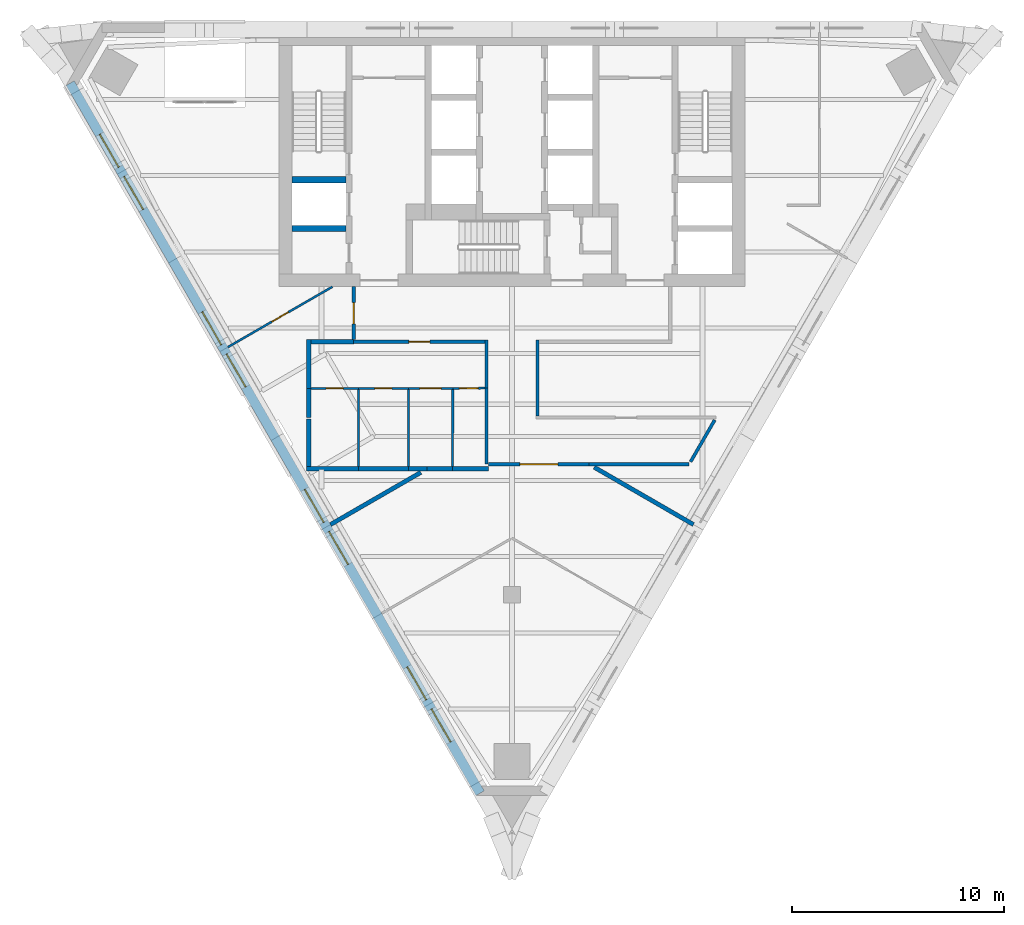
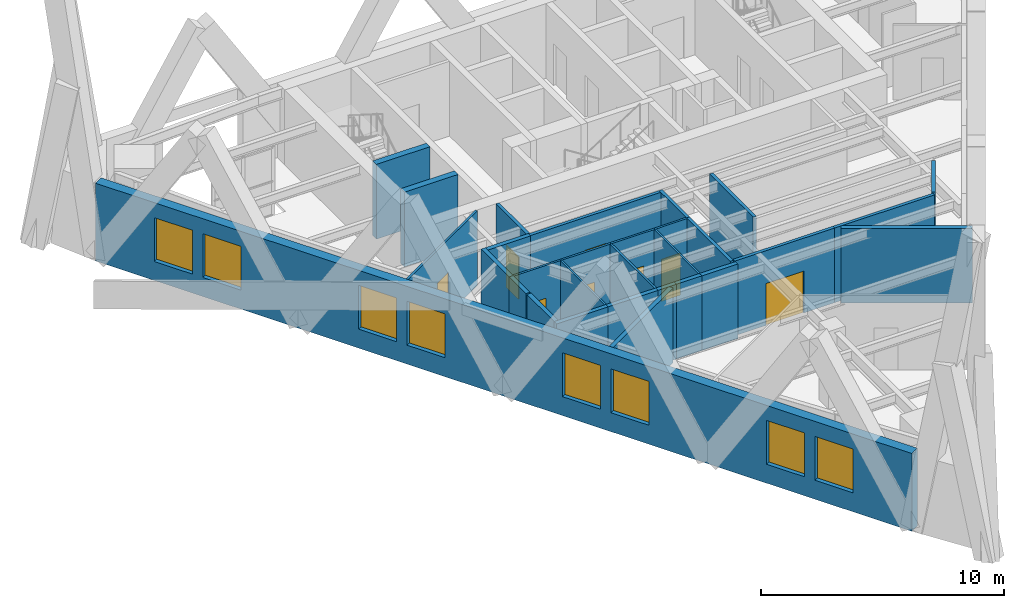
# One storey, part 4 of 9: 30 walls, 8 doors, 8 windows, 16 openings.
"""IFC4 building model written with IfcOpenShell, lengths in metres."""

import ifcopenshell
import ifcopenshell.guid

model = None  # the IFC model being written
_history = None  # IfcOwnerHistory: only IFC2X3 demands one
_inside = {}  # id of a spatial element -> (the spatial element, [elements in it])
_under = {}  # id of a project, library or spatial element -> (it, [spatial elements below it])
_declared = {}  # id of a project -> (the project, [libraries it declares])
_typed = {}  # id of a type object -> (the type object, [elements of that type])
_made_of = {}  # id of a material, layer set ... -> (it, [elements and type objects made of it])


def new_model(schema):
    """Start an empty IFC model of exactly this schema.

    Asked for "IFC4X3", IfcOpenShell would pick the latest addendum, in which some entities
    have other attributes; the version numbers below select the first issue.
    IFC2X3 requires an IfcOwnerHistory on every rooted entity: one is made here for all.
    """
    global model, _history
    if schema == "IFC4X3":
        model = ifcopenshell.file(schema_version=(4, 3, 0, 0))
    else:
        model = ifcopenshell.file(schema=schema)
    _inside.clear()
    _under.clear()
    _declared.clear()
    _typed.clear()
    _made_of.clear()
    _history = None
    if model.schema == "IFC2X3":
        org = make("IfcOrganization", Name="unknown")
        user = make(
            "IfcPersonAndOrganization",
            ThePerson=make("IfcPerson", FamilyName="unknown"),
            TheOrganization=org,
        )
        app = make(
            "IfcApplication",
            ApplicationDeveloper=org,
            Version="unknown",
            ApplicationFullName="unknown",
            ApplicationIdentifier="unknown",
        )
        _history = make(
            "IfcOwnerHistory",
            OwningUser=user,
            OwningApplication=app,
            ChangeAction="ADDED",
            CreationDate=0,
        )
    return model


def make(cls, **values):
    """One entity of the class cls with the attributes given. An attribute that is None is left unset."""
    return model.create_entity(
        cls, **{name: value for name, value in values.items() if value is not None}
    )


def rooted(cls, **values):
    """An entity with a GlobalId (a new one), such as an element, a storey or a relation."""
    return make(cls, GlobalId=ifcopenshell.guid.new(), OwnerHistory=_history, **values)


def si_unit(unit_type, name, prefix=None):
    """IfcSIUnit, for example si_unit("LENGTHUNIT", "METRE", prefix="MILLI")."""
    return make("IfcSIUnit", UnitType=unit_type, Prefix=prefix, Name=name)


def assignment(units):
    """IfcUnitAssignment: the units of a project."""
    return None if units is None else make("IfcUnitAssignment", Units=units)


def point(xyz):
    """IfcCartesianPoint."""
    return None if xyz is None else make("IfcCartesianPoint", Coordinates=xyz)


def direction(xyz):
    """IfcDirection."""
    return None if xyz is None else make("IfcDirection", DirectionRatios=xyz)


def frame(location, z_axis=None, x_axis=None):
    """IfcAxis2Placement3D, a coordinate frame: its origin and axes. An axis left out is left unset."""
    return make(
        "IfcAxis2Placement3D",
        Location=point(location),
        Axis=direction(z_axis),
        RefDirection=direction(x_axis),
    )


def frame_2d(location, x_axis=None):
    """IfcAxis2Placement2D, a coordinate frame in the plane: its origin and x axis."""
    return make(
        "IfcAxis2Placement2D", Location=point(location), RefDirection=direction(x_axis)
    )


def origin():
    """The frame at (0, 0, 0) with its axes left unset."""
    return frame((0.0, 0.0, 0.0))


def place(relative_to, where):
    """IfcLocalPlacement: puts the frame where relative to a parent placement (None: the world)."""
    return make(
        "IfcLocalPlacement", PlacementRelTo=relative_to, RelativePlacement=where
    )


def context(
    kind, dimensions, precision=None, world=None, true_north=None, identifier=None
):
    """IfcGeometricRepresentationContext, for example the 3D "Model" context."""
    return make(
        "IfcGeometricRepresentationContext",
        ContextIdentifier=identifier,
        ContextType=kind,
        CoordinateSpaceDimension=dimensions,
        Precision=precision,
        WorldCoordinateSystem=world,
        TrueNorth=true_north,
    )


def subcontext(parent, identifier, kind, view, scale=None):
    """IfcGeometricRepresentationSubContext, for example "Body" below "Model"."""
    return make(
        "IfcGeometricRepresentationSubContext",
        ContextIdentifier=identifier,
        ContextType=kind,
        ParentContext=parent,
        TargetScale=scale,
        TargetView=view,
    )


def project(units=None, contexts=None):
    """IfcProject with its units and contexts."""
    return rooted(
        "IfcProject",
        Name="project",
        RepresentationContexts=contexts,
        UnitsInContext=assignment(units),
    )


def spatial(cls, under=None, at=None, **own):
    """A site, building, storey or space (cls), placed at a placement, below another one or the project."""
    s = rooted(cls, ObjectPlacement=at, **own)
    if under is not None:
        _under.setdefault(under.id(), (under, []))[1].append(s)
    return s


def polyline(points):
    """IfcPolyline through the points."""
    return make("IfcPolyline", Points=[point(p) for p in points])


def profile(cls, at=None, kind="AREA", **sizes):
    """A parametric profile (cls). Its sizes go by their IFC names, for example OverallWidth=200.0."""
    return make(cls, ProfileType=kind, Position=at, **sizes)


def rectangle(**sizes):
    """IfcRectangleProfileDef."""
    return profile("IfcRectangleProfileDef", **sizes)


def outline(outer, holes=None, kind="AREA"):
    """IfcArbitraryClosedProfileDef: a profile drawn as a closed curve; with holes, ...WithVoids."""
    if holes is None:
        return make("IfcArbitraryClosedProfileDef", ProfileType=kind, OuterCurve=outer)
    return make(
        "IfcArbitraryProfileDefWithVoids",
        ProfileType=kind,
        OuterCurve=outer,
        InnerCurves=holes,
    )


def extrude(swept, where, along, depth):
    """IfcExtrudedAreaSolid: the profile swept, set in the frame where, extruded along a direction by depth."""
    return make(
        "IfcExtrudedAreaSolid",
        SweptArea=swept,
        Position=where,
        ExtrudedDirection=direction(along),
        Depth=depth,
    )


def shape(context_of_items, identifier, shape_type, items):
    """IfcShapeRepresentation: the items that make up one representation, for example the "Body"."""
    return make(
        "IfcShapeRepresentation",
        ContextOfItems=context_of_items,
        RepresentationIdentifier=identifier,
        RepresentationType=shape_type,
        Items=items,
    )


def material(Name=None, Category=None):
    """IfcMaterial."""
    return make("IfcMaterial", Name=Name, Category=Category)


def layer(
    of_material, thickness, ventilated=None, Name=None, Category=None, Priority=None
):
    """IfcMaterialLayer: one layer of a wall or slab, of a material (None: an air gap)."""
    return make(
        "IfcMaterialLayer",
        Material=of_material,
        LayerThickness=thickness,
        IsVentilated=ventilated,
        Name=Name,
        Category=Category,
        Priority=Priority,
    )


def layer_set(layers, Name=None):
    """IfcMaterialLayerSet."""
    return make("IfcMaterialLayerSet", MaterialLayers=layers, LayerSetName=Name)


def made_of(thing, what):
    """Note that an element or type object is made of a material, layer set ...; save() writes the relation."""
    if what is not None:
        _made_of.setdefault(what.id(), (what, []))[1].append(thing)
    return thing


def type_object(cls, material=None, **own):
    """A type object (cls), such as IfcWallType, which elements share."""
    return made_of(rooted(cls, **own), material)


def element(
    cls,
    number,
    at=None,
    inside=None,
    cuts=None,
    type_object=None,
    material=None,
    context=None,
    identifier="Body",
    shape_type=None,
    held_by="IfcProductDefinitionShape",
    body=None,
    shapes=None,
    **own,
):
    """One element of the class cls, such as IfcWall. Its Tag is "e" and its number.

    at: its placement. inside: the storey or other place that contains it. cuts: it is an
    opening in that element (IfcRelVoidsElement). A single representation is given by context,
    identifier, shape_type and body (its items); several are given by shapes. held_by: the class
    of the entity that holds the representations. save() writes the other relations.
    """
    e = rooted(cls, Tag="e%d" % number, ObjectPlacement=at, **own)
    if body is not None:
        shapes = [shape(context, identifier, shape_type, body)]
    if shapes is not None:
        e.Representation = make(held_by, Representations=shapes)
    if inside is not None:
        _inside.setdefault(inside.id(), (inside, []))[1].append(e)
    if cuts is not None:
        rooted(
            "IfcRelVoidsElement", RelatingBuildingElement=cuts, RelatedOpeningElement=e
        )
    if type_object is not None:
        _typed.setdefault(type_object.id(), (type_object, []))[1].append(e)
    return made_of(e, material)


def fill(opening, filler):
    """IfcRelFillsElement: the door or window that sits in an opening."""
    return rooted(
        "IfcRelFillsElement",
        RelatingOpeningElement=opening,
        RelatedBuildingElement=filler,
    )


def aggregate(whole, parts):
    """IfcRelAggregates: a whole, such as a stair, and the parts it consists of."""
    return rooted("IfcRelAggregates", RelatingObject=whole, RelatedObjects=parts)


def save(model, path):
    """Write the relations noted so far, then the file.

    IfcRelAggregates (storeys below a building ...), IfcRelContainedInSpatialStructure (elements
    in a storey), IfcRelDefinesByType, IfcRelAssociatesMaterial and IfcRelDeclares: one each for
    every whole, place, type object, material and project.
    """
    for whole, parts in _under.values():
        aggregate(whole, parts)
    for where, things in _inside.values():
        rooted(
            "IfcRelContainedInSpatialStructure",
            RelatedElements=things,
            RelatingStructure=where,
        )
    for kind, things in _typed.values():
        rooted("IfcRelDefinesByType", RelatedObjects=things, RelatingType=kind)
    for what, things in _made_of.values():
        rooted("IfcRelAssociatesMaterial", RelatedObjects=things, RelatingMaterial=what)
    for by, libraries in _declared.values():
        rooted("IfcRelDeclares", RelatingContext=by, RelatedDefinitions=libraries)
    model.write(path)


model = new_model("IFC4")

# Units and contexts
model_context = context("Model", 3, precision=1e-05, world=origin(), true_north=direction((0.0, 1.0)))
body_context = subcontext(model_context, "Body", "Model", "MODEL_VIEW")
ifc_project = project(units=[si_unit("LENGTHUNIT", "METRE"), si_unit("AREAUNIT", "SQUARE_METRE"), si_unit("VOLUMEUNIT", "CUBIC_METRE"), si_unit("PLANEANGLEUNIT", "RADIAN"), si_unit("MASSUNIT", "GRAM", prefix="KILO")], contexts=[model_context])

# Site, building, storey
site_placement = place(None, origin())
site = spatial("IfcSite", under=ifc_project, at=site_placement, CompositionType="ELEMENT")
building_placement = place(site_placement, origin())
building = spatial("IfcBuilding", under=site, at=building_placement, Name="Aloe Facet Convention Tower", CompositionType="ELEMENT")
storey_placement = place(building_placement, frame((0.0, 0.0, 195.800048828125)))
storey = spatial("IfcBuildingStorey", under=building, at=storey_placement, Name="L49", CompositionType="ELEMENT", Elevation=195.800048828125)

# Walls
ifc_material_1 = material(Name="Concrete C50/60", Category="concrete")
ifc_layer_1 = layer(ifc_material_1, 0.300048828125)
ifc_layer_set_1 = layer_set([ifc_layer_1], Name="CR-W-RC300-C5060")
wall_type_1 = type_object("IfcWallType", Name="CR-W-RC300-C5060", PredefinedType="SOLIDWALL", material=ifc_layer_set_1)
for number, where, z_axis, x_axis, name in (
    (1, (69.60009765625, 127.60009765625, 0.0), (0.0, 0.0, 1.0), (1.0, 0.0, 0.0), "Core wall L49-004"),
    (2, (69.60009765625, 125.300048828125, 0.0), (0.0, 0.0, 1.0), (1.0, 0.0, 0.0), "Core wall L49-005"),
):
    element("IfcWall", number, at=place(storey_placement, frame(where, z_axis=z_axis, x_axis=x_axis)), inside=storey, type_object=wall_type_1, Name=name, PredefinedType="SOLIDWALL", context=body_context, shape_type="SweptSolid", body=[
        extrude(rectangle(XDim=2.5498046875, YDim=0.300048828125, at=frame_2d((1.27490234375, 0.0))), origin(), (0.0, 0.0, 1.0), 3.75),
    ])

# Wall, openings, windows
ifc_material_2 = material(Name="Precast concrete C40/50", Category="concrete")
ifc_layer_2 = layer(ifc_material_2, 0.449951171875)
ifc_layer_set_2 = layer_set([ifc_layer_2], Name="EV-WALL-STONE")
wall_type_2 = type_object("IfcWallType", Name="EV-WALL-STONE", PredefinedType="SOLIDWALL", material=ifc_layer_set_2)
wall_1_placement = place(storey_placement, frame((59.130126953125, 132.16796875, -0.150146484375), z_axis=(0.0, 0.0, 1.0), x_axis=(0.500002199942, -0.866024133644, 0.0)))
wall_1 = element("IfcWall", 3, at=wall_1_placement, inside=storey, type_object=wall_type_2, Name="EW-L49-W01", PredefinedType="SOLIDWALL", context=body_context, shape_type="SweptSolid", body=[
    extrude(outline(polyline([(38.729248046875, 0.0), (38.729248046875, 3.900146484375), (0.0, 3.900146484375), (0.0, 0.0), (38.729248046875, 0.0)])), frame((0.0, 0.22509765625, 0.0), z_axis=(0.0, -1.0, 0.0), x_axis=(1.0, 0.0, 0.0)), (0.0, 0.0, 1.0), 0.449951171875),
])
opening_1_placement = place(wall_1_placement, frame((2.791259765625, 0.0, 0.949951171875)))
opening_1 = element("IfcOpeningElement", 4, at=opening_1_placement, cuts=wall_1, Name="Opening W-L49-W01", PredefinedType="OPENING", context=body_context, shape_type="SweptSolid", body=[
    extrude(rectangle(XDim=1.800048828125, YDim=2.199951171875, at=frame_2d((0.89990234375, 1.10009765625))), frame((0.0, 0.23486328125, 0.0), z_axis=(0.0, -1.0, 0.0), x_axis=(1.0, 0.0, 0.0)), (0.0, 0.0, 1.0), 0.469970703125),
])
opening_2_placement = place(wall_1_placement, frame((5.091064453125, 0.0, 0.949951171875)))
opening_2 = element("IfcOpeningElement", 5, at=opening_2_placement, cuts=wall_1, Name="Opening W-L49-W02", PredefinedType="OPENING", context=body_context, shape_type="SweptSolid", body=[
    extrude(rectangle(XDim=1.800048828125, YDim=2.199951171875, at=frame_2d((0.89990234375, 1.10009765625))), frame((0.0, 0.23486328125, 0.0), z_axis=(0.0, -1.0, 0.0), x_axis=(1.0, 0.0, 0.0)), (0.0, 0.0, 1.0), 0.469970703125),
])
opening_3_placement = place(wall_1_placement, frame((12.473388671875, 0.0, 0.949951171875)))
opening_3 = element("IfcOpeningElement", 6, at=opening_3_placement, cuts=wall_1, Name="Opening W-L49-W03", PredefinedType="OPENING", context=body_context, shape_type="SweptSolid", body=[
    extrude(rectangle(XDim=1.800048828125, YDim=2.199951171875, at=frame_2d((0.89990234375, 1.10009765625))), frame((0.0, 0.23486328125, 0.0), z_axis=(0.0, -1.0, 0.0), x_axis=(1.0, 0.0, 0.0)), (0.0, 0.0, 1.0), 0.469970703125),
])
opening_4_placement = place(wall_1_placement, frame((14.7734375, 0.0, 0.949951171875)))
opening_4 = element("IfcOpeningElement", 7, at=opening_4_placement, cuts=wall_1, Name="Opening W-L49-W04", PredefinedType="OPENING", context=body_context, shape_type="SweptSolid", body=[
    extrude(rectangle(XDim=1.800048828125, YDim=2.199951171875, at=frame_2d((0.89990234375, 1.10009765625))), frame((0.0, 0.23486328125, 0.0), z_axis=(0.0, -1.0, 0.0), x_axis=(1.0, 0.0, 0.0)), (0.0, 0.0, 1.0), 0.469970703125),
])
opening_5_placement = place(wall_1_placement, frame((22.15576171875, 0.0, 0.949951171875)))
opening_5 = element("IfcOpeningElement", 8, at=opening_5_placement, cuts=wall_1, Name="Opening W-L49-W05", PredefinedType="OPENING", context=body_context, shape_type="SweptSolid", body=[
    extrude(rectangle(XDim=1.800048828125, YDim=2.199951171875, at=frame_2d((0.89990234375, 1.10009765625))), frame((0.0, 0.23486328125, 0.0), z_axis=(0.0, -1.0, 0.0), x_axis=(1.0, 0.0, 0.0)), (0.0, 0.0, 1.0), 0.469970703125),
])
opening_6_placement = place(wall_1_placement, frame((24.455810546875, 0.0, 0.949951171875)))
opening_6 = element("IfcOpeningElement", 9, at=opening_6_placement, cuts=wall_1, Name="Opening W-L49-W06", PredefinedType="OPENING", context=body_context, shape_type="SweptSolid", body=[
    extrude(rectangle(XDim=1.800048828125, YDim=2.199951171875, at=frame_2d((0.89990234375, 1.10009765625))), frame((0.0, 0.23486328125, 0.0), z_axis=(0.0, -1.0, 0.0), x_axis=(1.0, 0.0, 0.0)), (0.0, 0.0, 1.0), 0.469970703125),
])
opening_7_placement = place(wall_1_placement, frame((31.838134765625, 0.0, 0.949951171875)))
opening_7 = element("IfcOpeningElement", 10, at=opening_7_placement, cuts=wall_1, Name="Opening W-L49-W07", PredefinedType="OPENING", context=body_context, shape_type="SweptSolid", body=[
    extrude(rectangle(XDim=1.800048828125, YDim=2.199951171875, at=frame_2d((0.89990234375, 1.10009765625))), frame((0.0, 0.23486328125, 0.0), z_axis=(0.0, -1.0, 0.0), x_axis=(1.0, 0.0, 0.0)), (0.0, 0.0, 1.0), 0.469970703125),
])
opening_8_placement = place(wall_1_placement, frame((34.13818359375, 0.0, 0.949951171875)))
opening_8 = element("IfcOpeningElement", 11, at=opening_8_placement, cuts=wall_1, Name="Opening W-L49-W08", PredefinedType="OPENING", context=body_context, shape_type="SweptSolid", body=[
    extrude(rectangle(XDim=1.800048828125, YDim=2.199951171875, at=frame_2d((0.89990234375, 1.10009765625))), frame((0.0, 0.23486328125, 0.0), z_axis=(0.0, -1.0, 0.0), x_axis=(1.0, 0.0, 0.0)), (0.0, 0.0, 1.0), 0.469970703125),
])
ifc_material_3 = material(Name="Aluminium frame, clear double glazing", Category="aluminium")
window_type = type_object("IfcWindowType", Name="EV-WIN-O18", PartitioningType="SINGLE_PANEL", PredefinedType="WINDOW", material=ifc_material_3)
window_1_placement = place(opening_1_placement, origin())
window_1 = element("IfcWindow", 12, at=window_1_placement, inside=storey, type_object=window_type, Name="W-L49-W01", OverallHeight=2.199951171875, OverallWidth=1.800048828125, PartitioningType="SINGLE_PANEL", PredefinedType="WINDOW", context=body_context, shape_type="SweptSolid", body=[
    extrude(rectangle(XDim=1.800048828125, YDim=2.199951171875, at=frame_2d((0.89990234375, 1.10009765625))), frame((0.0, 0.030029296875, 0.0), z_axis=(0.0, -1.0, 0.0), x_axis=(1.0, 0.0, 0.0)), (0.0, 0.0, 1.0), 0.06005859375),
])
fill(opening_1, window_1)
window_2_placement = place(opening_2_placement, origin())
window_2 = element("IfcWindow", 13, at=window_2_placement, inside=storey, type_object=window_type, Name="W-L49-W02", OverallHeight=2.199951171875, OverallWidth=1.800048828125, PartitioningType="SINGLE_PANEL", PredefinedType="WINDOW", context=body_context, shape_type="SweptSolid", body=[
    extrude(rectangle(XDim=1.800048828125, YDim=2.199951171875, at=frame_2d((0.89990234375, 1.10009765625))), frame((0.0, 0.030029296875, 0.0), z_axis=(0.0, -1.0, 0.0), x_axis=(1.0, 0.0, 0.0)), (0.0, 0.0, 1.0), 0.06005859375),
])
fill(opening_2, window_2)
window_3_placement = place(opening_3_placement, origin())
window_3 = element("IfcWindow", 14, at=window_3_placement, inside=storey, type_object=window_type, Name="W-L49-W03", OverallHeight=2.199951171875, OverallWidth=1.800048828125, PartitioningType="SINGLE_PANEL", PredefinedType="WINDOW", context=body_context, shape_type="SweptSolid", body=[
    extrude(rectangle(XDim=1.800048828125, YDim=2.199951171875, at=frame_2d((0.89990234375, 1.10009765625))), frame((0.0, 0.030029296875, 0.0), z_axis=(0.0, -1.0, 0.0), x_axis=(1.0, 0.0, 0.0)), (0.0, 0.0, 1.0), 0.06005859375),
])
fill(opening_3, window_3)
window_4_placement = place(opening_4_placement, origin())
window_4 = element("IfcWindow", 15, at=window_4_placement, inside=storey, type_object=window_type, Name="W-L49-W04", OverallHeight=2.199951171875, OverallWidth=1.800048828125, PartitioningType="SINGLE_PANEL", PredefinedType="WINDOW", context=body_context, shape_type="SweptSolid", body=[
    extrude(rectangle(XDim=1.800048828125, YDim=2.199951171875, at=frame_2d((0.89990234375, 1.10009765625))), frame((0.0, 0.030029296875, 0.0), z_axis=(0.0, -1.0, 0.0), x_axis=(1.0, 0.0, 0.0)), (0.0, 0.0, 1.0), 0.06005859375),
])
fill(opening_4, window_4)
window_5_placement = place(opening_5_placement, origin())
window_5 = element("IfcWindow", 16, at=window_5_placement, inside=storey, type_object=window_type, Name="W-L49-W05", OverallHeight=2.199951171875, OverallWidth=1.800048828125, PartitioningType="SINGLE_PANEL", PredefinedType="WINDOW", context=body_context, shape_type="SweptSolid", body=[
    extrude(rectangle(XDim=1.800048828125, YDim=2.199951171875, at=frame_2d((0.89990234375, 1.10009765625))), frame((0.0, 0.030029296875, 0.0), z_axis=(0.0, -1.0, 0.0), x_axis=(1.0, 0.0, 0.0)), (0.0, 0.0, 1.0), 0.06005859375),
])
fill(opening_5, window_5)
window_6_placement = place(opening_6_placement, origin())
window_6 = element("IfcWindow", 17, at=window_6_placement, inside=storey, type_object=window_type, Name="W-L49-W06", OverallHeight=2.199951171875, OverallWidth=1.800048828125, PartitioningType="SINGLE_PANEL", PredefinedType="WINDOW", context=body_context, shape_type="SweptSolid", body=[
    extrude(rectangle(XDim=1.800048828125, YDim=2.199951171875, at=frame_2d((0.89990234375, 1.10009765625))), frame((0.0, 0.030029296875, 0.0), z_axis=(0.0, -1.0, 0.0), x_axis=(1.0, 0.0, 0.0)), (0.0, 0.0, 1.0), 0.06005859375),
])
fill(opening_6, window_6)
window_7_placement = place(opening_7_placement, origin())
window_7 = element("IfcWindow", 18, at=window_7_placement, inside=storey, type_object=window_type, Name="W-L49-W07", OverallHeight=2.199951171875, OverallWidth=1.800048828125, PartitioningType="SINGLE_PANEL", PredefinedType="WINDOW", context=body_context, shape_type="SweptSolid", body=[
    extrude(rectangle(XDim=1.800048828125, YDim=2.199951171875, at=frame_2d((0.89990234375, 1.10009765625))), frame((0.0, 0.030029296875, 0.0), z_axis=(0.0, -1.0, 0.0), x_axis=(1.0, 0.0, 0.0)), (0.0, 0.0, 1.0), 0.06005859375),
])
fill(opening_7, window_7)
window_8_placement = place(opening_8_placement, origin())
window_8 = element("IfcWindow", 19, at=window_8_placement, inside=storey, type_object=window_type, Name="W-L49-W08", OverallHeight=2.199951171875, OverallWidth=1.800048828125, PartitioningType="SINGLE_PANEL", PredefinedType="WINDOW", context=body_context, shape_type="SweptSolid", body=[
    extrude(rectangle(XDim=1.800048828125, YDim=2.199951171875, at=frame_2d((0.89990234375, 1.10009765625))), frame((0.0, 0.030029296875, 0.0), z_axis=(0.0, -1.0, 0.0), x_axis=(1.0, 0.0, 0.0)), (0.0, 0.0, 1.0), 0.06005859375),
])
fill(opening_8, window_8)

# Wall, opening, door
ifc_material_4 = material(Name="Gypsum board partition on steel studs", Category="steel")
ifc_layer_3 = layer(ifc_material_4, 0.14990234375)
ifc_layer_set_3 = layer_set([ifc_layer_3], Name="IN-W-CORR")
wall_type_3 = type_object("IfcWallType", Name="IN-W-CORR", PredefinedType="PARTITIONING", material=ifc_layer_set_3)
wall_2_placement = place(storey_placement, frame((78.89990234375, 114.166748046875, 0.0), z_axis=(0.0, 0.0, 1.0), x_axis=(1.0, 0.0, 0.0)))
wall_2 = element("IfcWall", 20, at=wall_2_placement, inside=storey, type_object=wall_type_3, Name="Partition L49-W010", PredefinedType="PARTITIONING", context=body_context, shape_type="SweptSolid", body=[
    extrude(rectangle(XDim=4.7373046875, YDim=0.14990234375, at=frame_2d((2.36865234375, 0.0))), origin(), (0.0, 0.0, 1.0), 3.75),
])
opening_9_placement = place(wall_2_placement, frame((1.46875, 0.0, 0.0)))
opening_9 = element("IfcOpeningElement", 21, at=opening_9_placement, cuts=wall_2, Name="Opening L49-012", PredefinedType="OPENING", context=body_context, shape_type="SweptSolid", body=[
    extrude(rectangle(XDim=1.800048828125, YDim=2.10009765625, at=frame_2d((0.89990234375, 1.050048828125))), frame((0.0, 0.0849609375, 0.0), z_axis=(0.0, -1.0, 0.0), x_axis=(1.0, 0.0, 0.0)), (0.0, 0.0, 1.0), 0.169921875),
])
ifc_material_5 = material(Name="Glazed timber door pair FD30S", Category="wood")
door_type_1 = type_object("IfcDoorType", Name="IN-OFF-D-SUITE", OperationType="DOUBLE_DOOR_SINGLE_SWING", PredefinedType="DOOR", material=ifc_material_5)
door_1_placement = place(opening_9_placement, origin())
door_1 = element("IfcDoor", 22, at=door_1_placement, inside=storey, type_object=door_type_1, Name="Door L49-012", OperationType="SINGLE_SWING_LEFT", OverallHeight=2.10009765625, OverallWidth=1.800048828125, PredefinedType="DOOR", context=body_context, shape_type="SweptSolid", body=[
    extrude(rectangle(XDim=1.800048828125, YDim=2.10009765625, at=frame_2d((0.89990234375, 1.050048828125))), frame((0.0, 0.02490234375, 0.0), z_axis=(0.0, -1.0, 0.0), x_axis=(1.0, 0.0, 0.0)), (0.0, 0.0, 1.0), 0.050048828125),
])
fill(opening_9, door_1)

# Walls
wall_3_placement = place(storey_placement, frame((78.800048828125, 114.166748046875, 0.0), z_axis=(0.0, 0.0, 1.0), x_axis=(0.0, 1.0, 0.0)))
element("IfcWall", 23, at=wall_3_placement, inside=storey, type_object=wall_type_3, Name="Partition L49-W011", PredefinedType="PARTITIONING", context=body_context, shape_type="SweptSolid", body=[
    extrude(rectangle(XDim=3.59326171875, YDim=0.14990234375, at=frame_2d((1.796630859375, 0.0))), origin(), (0.0, 0.0, 1.0), 3.75),
])
wall_4_placement = place(storey_placement, frame((83.63720703125, 114.166748046875, 0.0), z_axis=(0.0, 0.0, 1.0), x_axis=(1.0, 0.0, 0.0)))
element("IfcWall", 24, at=wall_4_placement, inside=storey, type_object=wall_type_3, Name="Partition L49-W013", PredefinedType="PARTITIONING", context=body_context, shape_type="SweptSolid", body=[
    extrude(rectangle(XDim=4.732177734375, YDim=0.14990234375, at=frame_2d((2.3662109375, 0.0))), origin(), (0.0, 0.0, 1.0), 3.75),
])
wall_5_placement = place(storey_placement, frame((88.434326171875, 114.279296875, 0.0), z_axis=(0.0, 0.0, 1.0), x_axis=(0.500065330854, 0.865987681712, 0.0)))
element("IfcWall", 25, at=wall_5_placement, inside=storey, type_object=wall_type_3, Name="Partition L49-W016", PredefinedType="PARTITIONING", context=body_context, shape_type="SweptSolid", body=[
    extrude(rectangle(XDim=2.280517578125, YDim=0.14990234375, at=frame_2d((1.14013671875, 0.0))), origin(), (0.0, 0.0, 1.0), 3.75),
])
wall_6_placement = place(storey_placement, frame((78.800048828125, 117.760009765625, 0.0), z_axis=(0.0, 0.0, 1.0), x_axis=(0.0, 1.0, 0.0)))
element("IfcWall", 26, at=wall_6_placement, inside=storey, type_object=wall_type_3, Name="Partition L49-W017", PredefinedType="PARTITIONING", context=body_context, shape_type="SweptSolid", body=[
    extrude(rectangle(XDim=2.264892578125, YDim=0.14990234375, at=frame_2d((1.13232421875, 0.0))), origin(), (0.0, 0.0, 1.0), 3.75),
])

# Wall, opening, door
wall_7_placement = place(storey_placement, frame((72.52490234375, 120.050048828125, 0.0), z_axis=(0.0, 0.0, 1.0), x_axis=(0.0, 1.0, 0.0)))
wall_7 = element("IfcWall", 27, at=wall_7_placement, inside=storey, type_object=wall_type_3, Name="Partition L49-W029", PredefinedType="PARTITIONING", context=body_context, shape_type="SweptSolid", body=[
    extrude(rectangle(XDim=2.5, YDim=0.14990234375, at=frame_2d((1.25, 0.0))), origin(), (0.0, 0.0, 1.0), 3.75),
])
opening_10_placement = place(wall_7_placement, frame((0.75, 0.0, 0.0)))
opening_10 = element("IfcOpeningElement", 28, at=opening_10_placement, cuts=wall_7, Name="Opening L49-008", PredefinedType="OPENING", context=body_context, shape_type="SweptSolid", body=[
    extrude(rectangle(XDim=1.0, YDim=2.10009765625, at=frame_2d((0.5, 1.050048828125))), frame((0.0, 0.0849609375, 0.0), z_axis=(0.0, -1.0, 0.0), x_axis=(1.0, 0.0, 0.0)), (0.0, 0.0, 1.0), 0.169921875),
])
ifc_material_6 = material(Name="Timber door FD30S with vision panel", Category="wood")
door_type_2 = type_object("IfcDoorType", Name="IN-OFF-D-ENTRY", OperationType="SINGLE_SWING_LEFT", PredefinedType="DOOR", material=ifc_material_6)
door_2_placement = place(opening_10_placement, origin())
door_2 = element("IfcDoor", 29, at=door_2_placement, inside=storey, type_object=door_type_2, Name="Door L49-008", OperationType="SINGLE_SWING_LEFT", OverallHeight=2.10009765625, OverallWidth=1.0, PredefinedType="DOOR", context=body_context, shape_type="SweptSolid", body=[
    extrude(rectangle(XDim=1.0, YDim=2.10009765625, at=frame_2d((0.5, 1.050048828125))), frame((0.0, 0.02490234375, 0.0), z_axis=(0.0, -1.0, 0.0), x_axis=(1.0, 0.0, 0.0)), (0.0, 0.0, 1.0), 0.050048828125),
])
fill(opening_10, door_2)

wall_8_placement = place(storey_placement, frame((72.52490234375, 119.949951171875, 0.0), z_axis=(0.0, 0.0, 1.0), x_axis=(1.0, 0.0, 0.0)))
wall_8 = element("IfcWall", 30, at=wall_8_placement, inside=storey, type_object=wall_type_3, Name="Partition L49-W030", PredefinedType="PARTITIONING", context=body_context, shape_type="SweptSolid", body=[
    extrude(rectangle(XDim=6.2001953125, YDim=0.14990234375, at=frame_2d((3.10009765625, 0.0))), origin(), (0.0, 0.0, 1.0), 3.75),
])
opening_11_placement = place(wall_8_placement, frame((2.60009765625, 0.0, 0.0)))
opening_11 = element("IfcOpeningElement", 31, at=opening_11_placement, cuts=wall_8, Name="Opening L49-001", PredefinedType="OPENING", context=body_context, shape_type="SweptSolid", body=[
    extrude(rectangle(XDim=1.0, YDim=2.10009765625, at=frame_2d((0.5, 1.050048828125))), frame((0.0, 0.0849609375, 0.0), z_axis=(0.0, -1.0, 0.0), x_axis=(1.0, 0.0, 0.0)), (0.0, 0.0, 1.0), 0.169921875),
])
door_3_placement = place(opening_11_placement, origin())
door_3 = element("IfcDoor", 32, at=door_3_placement, inside=storey, type_object=door_type_2, Name="Door L49-001", OperationType="SINGLE_SWING_LEFT", OverallHeight=2.10009765625, OverallWidth=1.0, PredefinedType="DOOR", context=body_context, shape_type="SweptSolid", body=[
    extrude(rectangle(XDim=1.0, YDim=2.10009765625, at=frame_2d((0.5, 1.050048828125))), frame((0.0, 0.02490234375, 0.0), z_axis=(0.0, -1.0, 0.0), x_axis=(1.0, 0.0, 0.0)), (0.0, 0.0, 1.0), 0.050048828125),
])
fill(opening_11, door_3)

# Walls
wall_9_placement = place(storey_placement, frame((81.199951171875, 116.441650390625, 0.0), z_axis=(0.0, 0.0, 1.0), x_axis=(0.0, 1.0, 0.0)))
element("IfcWall", 33, at=wall_9_placement, inside=storey, type_object=wall_type_3, Name="Partition L49-W031", PredefinedType="PARTITIONING", context=body_context, shape_type="SweptSolid", body=[
    extrude(rectangle(XDim=3.583251953125, YDim=0.14990234375, at=frame_2d((1.79150390625, 0.0))), origin(), (0.0, 0.0, 1.0), 3.75),
])
ifc_material_7 = material(Name="Gypsum board partition on steel studs", Category="steel")
ifc_layer_4 = layer(ifc_material_7, 0.10009765625)
ifc_layer_set_4 = layer_set([ifc_layer_4], Name="IN-W-PART")
wall_type_4 = type_object("IfcWallType", Name="IN-W-PART", PredefinedType="PARTITIONING", material=ifc_layer_set_4)
wall_10_placement = place(storey_placement, frame((72.7421875, 114.050048828125, 0.0), z_axis=(0.0, 0.0, 1.0), x_axis=(0.002675575707, 0.999996420641, 0.0)))
element("IfcWall", 34, at=wall_10_placement, inside=storey, type_object=wall_type_4, Name="Partition L49-W018", PredefinedType="PARTITIONING", context=body_context, shape_type="SweptSolid", body=[
    extrude(rectangle(XDim=3.64990234375, YDim=0.10009765625, at=frame_2d((1.824951171875, 0.0))), origin(), (0.0, 0.0, 1.0), 3.75),
])

# Wall, opening, door
wall_11_placement = place(storey_placement, frame((70.5, 117.75, 0.0), z_axis=(0.0, 0.0, 1.0), x_axis=(1.0, 0.0, 0.0)))
wall_11 = element("IfcWall", 35, at=wall_11_placement, inside=storey, type_object=wall_type_4, Name="Partition L49-W019", PredefinedType="PARTITIONING", context=body_context, shape_type="SweptSolid", body=[
    extrude(rectangle(XDim=2.251953125, YDim=0.10009765625, at=frame_2d((1.1259765625, 0.0))), origin(), (0.0, 0.0, 1.0), 3.75),
])
opening_12_placement = place(wall_11_placement, frame((0.72607421875, 0.0, 0.0)))
opening_12 = element("IfcOpeningElement", 36, at=opening_12_placement, cuts=wall_11, Name="Opening L49-002", PredefinedType="OPENING", context=body_context, shape_type="SweptSolid", body=[
    extrude(rectangle(XDim=0.800048828125, YDim=2.10009765625, at=frame_2d((0.39990234375, 1.050048828125))), frame((0.0, 0.06005859375, 0.0), z_axis=(0.0, -1.0, 0.0), x_axis=(1.0, 0.0, 0.0)), (0.0, 0.0, 1.0), 0.1201171875),
])
ifc_material_8 = material(Name="Timber door", Category="wood")
door_type_3 = type_object("IfcDoorType", Name="IN-OFF-D-WC", OperationType="SINGLE_SWING_LEFT", PredefinedType="DOOR", material=ifc_material_8)
door_4_placement = place(opening_12_placement, origin())
door_4 = element("IfcDoor", 37, at=door_4_placement, inside=storey, type_object=door_type_3, Name="Door L49-002", OperationType="SINGLE_SWING_LEFT", OverallHeight=2.10009765625, OverallWidth=0.800048828125, PredefinedType="DOOR", context=body_context, shape_type="SweptSolid", body=[
    extrude(rectangle(XDim=0.800048828125, YDim=2.10009765625, at=frame_2d((0.39990234375, 1.050048828125))), frame((0.0, 0.02490234375, 0.0), z_axis=(0.0, -1.0, 0.0), x_axis=(1.0, 0.0, 0.0)), (0.0, 0.0, 1.0), 0.050048828125),
])
fill(opening_12, door_4)

# Wall
wall_12_placement = place(storey_placement, frame((75.11376953125, 114.050048828125, 0.0), z_axis=(0.0, 0.0, 1.0), x_axis=(-0.002608686776, 0.999996597371, 0.0)))
element("IfcWall", 38, at=wall_12_placement, inside=storey, type_object=wall_type_4, Name="Partition L49-W020", PredefinedType="PARTITIONING", context=body_context, shape_type="SweptSolid", body=[
    extrude(rectangle(XDim=3.64990234375, YDim=0.10009765625, at=frame_2d((1.824951171875, 0.0))), origin(), (0.0, 0.0, 1.0), 3.75),
])

# Wall, opening, door
wall_13_placement = place(storey_placement, frame((72.751953125, 117.75, 0.0), z_axis=(0.0, 0.0, 1.0), x_axis=(1.0, 0.0, 0.0)))
wall_13 = element("IfcWall", 39, at=wall_13_placement, inside=storey, type_object=wall_type_4, Name="Partition L49-W021", PredefinedType="PARTITIONING", context=body_context, shape_type="SweptSolid", body=[
    extrude(rectangle(XDim=2.35205078125, YDim=0.10009765625, at=frame_2d((1.176025390625, 0.0))), origin(), (0.0, 0.0, 1.0), 3.75),
])
opening_13_placement = place(wall_13_placement, frame((0.77587890625, 0.0, 0.0)))
opening_13 = element("IfcOpeningElement", 40, at=opening_13_placement, cuts=wall_13, Name="Opening L49-003", PredefinedType="OPENING", context=body_context, shape_type="SweptSolid", body=[
    extrude(rectangle(XDim=0.800048828125, YDim=2.10009765625, at=frame_2d((0.39990234375, 1.050048828125))), frame((0.0, 0.06005859375, 0.0), z_axis=(0.0, -1.0, 0.0), x_axis=(1.0, 0.0, 0.0)), (0.0, 0.0, 1.0), 0.1201171875),
])
door_5_placement = place(opening_13_placement, origin())
door_5 = element("IfcDoor", 41, at=door_5_placement, inside=storey, type_object=door_type_3, Name="Door L49-003", OperationType="SINGLE_SWING_LEFT", OverallHeight=2.10009765625, OverallWidth=0.800048828125, PredefinedType="DOOR", context=body_context, shape_type="SweptSolid", body=[
    extrude(rectangle(XDim=0.800048828125, YDim=2.10009765625, at=frame_2d((0.39990234375, 1.050048828125))), frame((0.0, 0.02490234375, 0.0), z_axis=(0.0, -1.0, 0.0), x_axis=(1.0, 0.0, 0.0)), (0.0, 0.0, 1.0), 0.050048828125),
])
fill(opening_13, door_5)

# Wall
wall_14_placement = place(storey_placement, frame((77.1943359375, 114.050048828125, 0.0), z_axis=(0.0, 0.0, 1.0), x_axis=(0.002608686776, 0.999996597371, 0.0)))
element("IfcWall", 42, at=wall_14_placement, inside=storey, type_object=wall_type_4, Name="Partition L49-W022", PredefinedType="PARTITIONING", context=body_context, shape_type="SweptSolid", body=[
    extrude(rectangle(XDim=3.64990234375, YDim=0.10009765625, at=frame_2d((1.824951171875, 0.0))), origin(), (0.0, 0.0, 1.0), 3.75),
])

# Wall, opening, door
wall_15_placement = place(storey_placement, frame((75.10400390625, 117.75, 0.0), z_axis=(0.0, 0.0, 1.0), x_axis=(1.0, 0.0, 0.0)))
wall_15 = element("IfcWall", 43, at=wall_15_placement, inside=storey, type_object=wall_type_4, Name="Partition L49-W023", PredefinedType="PARTITIONING", context=body_context, shape_type="SweptSolid", body=[
    extrude(rectangle(XDim=2.10009765625, YDim=0.10009765625, at=frame_2d((1.050048828125, 0.0))), origin(), (0.0, 0.0, 1.0), 3.75),
])
opening_14_placement = place(wall_15_placement, frame((0.550048828125, 0.0, 0.0)))
opening_14 = element("IfcOpeningElement", 44, at=opening_14_placement, cuts=wall_15, Name="Opening L49-004", PredefinedType="OPENING", context=body_context, shape_type="SweptSolid", body=[
    extrude(rectangle(XDim=1.0, YDim=2.10009765625, at=frame_2d((0.5, 1.050048828125))), frame((0.0, 0.06005859375, 0.0), z_axis=(0.0, -1.0, 0.0), x_axis=(1.0, 0.0, 0.0)), (0.0, 0.0, 1.0), 0.1201171875),
])
ifc_material_9 = material(Name="Timber door", Category="wood")
door_type_4 = type_object("IfcDoorType", Name="IN-OFF-D-WIDE", OperationType="SINGLE_SWING_LEFT", PredefinedType="DOOR", material=ifc_material_9)
door_6_placement = place(opening_14_placement, origin())
door_6 = element("IfcDoor", 45, at=door_6_placement, inside=storey, type_object=door_type_4, Name="Door L49-004", OperationType="SINGLE_SWING_LEFT", OverallHeight=2.10009765625, OverallWidth=1.0, PredefinedType="DOOR", context=body_context, shape_type="SweptSolid", body=[
    extrude(rectangle(XDim=1.0, YDim=2.10009765625, at=frame_2d((0.5, 1.050048828125))), frame((0.0, 0.02490234375, 0.0), z_axis=(0.0, -1.0, 0.0), x_axis=(1.0, 0.0, 0.0)), (0.0, 0.0, 1.0), 0.050048828125),
])
fill(opening_14, door_6)

wall_16_placement = place(storey_placement, frame((77.2041015625, 117.75, 0.0), z_axis=(0.0, 0.0, 1.0), x_axis=(0.999980406575, 0.006259909447, 0.0)))
wall_16 = element("IfcWall", 46, at=wall_16_placement, inside=storey, type_object=wall_type_4, Name="Partition L49-W024", PredefinedType="PARTITIONING", context=body_context, shape_type="SweptSolid", body=[
    extrude(rectangle(XDim=1.52099609375, YDim=0.10009765625, at=frame_2d((0.760498046875, 0.0))), origin(), (0.0, 0.0, 1.0), 3.75),
])
opening_15_placement = place(wall_16_placement, frame((0.310546875, 0.0, 0.0)))
opening_15 = element("IfcOpeningElement", 47, at=opening_15_placement, cuts=wall_16, Name="Opening L49-005", PredefinedType="OPENING", context=body_context, shape_type="SweptSolid", body=[
    extrude(rectangle(XDim=0.89990234375, YDim=2.10009765625, at=frame_2d((0.449951171875, 1.050048828125))), frame((0.0, 0.06005859375, 0.0), z_axis=(0.0, -1.0, 0.0), x_axis=(1.0, 0.0, 0.0)), (0.0, 0.0, 1.0), 0.1201171875),
])
ifc_material_10 = material(Name="Timber door", Category="wood")
door_type_5 = type_object("IfcDoorType", Name="IN-OFF-D-ROOM", OperationType="SINGLE_SWING_LEFT", PredefinedType="DOOR", material=ifc_material_10)
door_7_placement = place(opening_15_placement, origin())
door_7 = element("IfcDoor", 48, at=door_7_placement, inside=storey, type_object=door_type_5, Name="Door L49-005", OperationType="SINGLE_SWING_LEFT", OverallHeight=2.10009765625, OverallWidth=0.89990234375, PredefinedType="DOOR", context=body_context, shape_type="SweptSolid", body=[
    extrude(rectangle(XDim=0.89990234375, YDim=2.10009765625, at=frame_2d((0.449951171875, 1.050048828125))), frame((0.0, 0.02490234375, 0.0), z_axis=(0.0, -1.0, 0.0), x_axis=(1.0, 0.0, 0.0)), (0.0, 0.0, 1.0), 0.050048828125),
])
fill(opening_15, door_7)

wall_17_placement = place(storey_placement, frame((66.5869140625, 119.702880859375, 0.0), z_axis=(0.0, 0.0, 1.0), x_axis=(0.866023511746, 0.500003277092, 0.0)))
wall_17 = element("IfcWall", 49, at=wall_17_placement, inside=storey, type_object=wall_type_4, Name="Partition L49-W026", PredefinedType="PARTITIONING", context=body_context, shape_type="SweptSolid", body=[
    extrude(rectangle(XDim=5.6943359375, YDim=0.10009765625, at=frame_2d((2.84716796875, 0.0))), origin(), (0.0, 0.0, 1.0), 3.75),
])
opening_16_placement = place(wall_17_placement, frame((2.397216796875, 0.0, 0.0)))
opening_16 = element("IfcOpeningElement", 50, at=opening_16_placement, cuts=wall_17, Name="Opening L49-007", PredefinedType="OPENING", context=body_context, shape_type="SweptSolid", body=[
    extrude(rectangle(XDim=0.89990234375, YDim=2.10009765625, at=frame_2d((0.449951171875, 1.050048828125))), frame((0.0, 0.06005859375, 0.0), z_axis=(0.0, -1.0, 0.0), x_axis=(1.0, 0.0, 0.0)), (0.0, 0.0, 1.0), 0.1201171875),
])
door_8_placement = place(opening_16_placement, origin())
door_8 = element("IfcDoor", 51, at=door_8_placement, inside=storey, type_object=door_type_5, Name="Door L49-007", OperationType="SINGLE_SWING_LEFT", OverallHeight=2.10009765625, OverallWidth=0.89990234375, PredefinedType="DOOR", context=body_context, shape_type="SweptSolid", body=[
    extrude(rectangle(XDim=0.89990234375, YDim=2.10009765625, at=frame_2d((0.449951171875, 1.050048828125))), frame((0.0, 0.02490234375, 0.0), z_axis=(0.0, -1.0, 0.0), x_axis=(1.0, 0.0, 0.0)), (0.0, 0.0, 1.0), 0.050048828125),
])
fill(opening_16, door_8)

# Walls
ifc_material_11 = material(Name="Gypsum board partition on steel studs", Category="steel")
ifc_layer_5 = layer(ifc_material_11, 0.199951171875)
ifc_layer_set_5 = layer_set([ifc_layer_5], Name="IN-W-PARTY")
wall_type_5 = type_object("IfcWallType", Name="IN-W-PARTY", PredefinedType="PARTITIONING", material=ifc_layer_set_5)
wall_18_placement = place(storey_placement, frame((71.427978515625, 111.317626953125, 0.0), z_axis=(0.0, 0.0, 1.0), x_axis=(0.86601964755, 0.500009969958, 0.0)))
element("IfcWall", 52, at=wall_18_placement, inside=storey, type_object=wall_type_5, Name="Partition L49-W003", PredefinedType="PARTITIONING", context=body_context, shape_type="SweptSolid", body=[
    extrude(rectangle(XDim=4.9248046875, YDim=0.199951171875, at=frame_2d((2.46240234375, 0.0))), origin(), (0.0, 0.0, 1.0), 3.75),
])
wall_19_placement = place(storey_placement, frame((70.302001953125, 113.949951171875, 0.0), z_axis=(0.0, 0.0, 1.0), x_axis=(1.0, 0.0, 0.0)))
element("IfcWall", 53, at=wall_19_placement, inside=storey, type_object=wall_type_5, Name="Partition L49-W004", PredefinedType="PARTITIONING", context=body_context, shape_type="SweptSolid", body=[
    extrude(rectangle(XDim=2.43994140625, YDim=0.199951171875, at=frame_2d((1.219970703125, 0.0))), origin(), (0.0, 0.0, 1.0), 3.75),
])
wall_20_placement = place(storey_placement, frame((72.741943359375, 113.949951171875, 0.0), z_axis=(0.0, 0.0, 1.0), x_axis=(1.0, 0.0, 0.0)))
element("IfcWall", 54, at=wall_20_placement, inside=storey, type_object=wall_type_5, Name="Partition L49-W005", PredefinedType="PARTITIONING", context=body_context, shape_type="SweptSolid", body=[
    extrude(rectangle(XDim=2.3720703125, YDim=0.199951171875, at=frame_2d((1.18603515625, 0.0))), origin(), (0.0, 0.0, 1.0), 3.75),
])
wall_21_placement = place(storey_placement, frame((75.114013671875, 113.949951171875, 0.0), z_axis=(0.0, 0.0, 1.0), x_axis=(1.0, 0.0, 0.0)))
element("IfcWall", 55, at=wall_21_placement, inside=storey, type_object=wall_type_5, Name="Partition L49-W006", PredefinedType="PARTITIONING", context=body_context, shape_type="SweptSolid", body=[
    extrude(rectangle(XDim=0.873291015625, YDim=0.199951171875, at=frame_2d((0.4365234375, 0.0))), origin(), (0.0, 0.0, 1.0), 3.75),
])
wall_22_placement = place(storey_placement, frame((75.9873046875, 113.949951171875, 0.0), z_axis=(0.0, 0.0, 1.0), x_axis=(1.0, 0.0, 0.0)))
element("IfcWall", 56, at=wall_22_placement, inside=storey, type_object=wall_type_5, Name="Partition L49-W007", PredefinedType="PARTITIONING", context=body_context, shape_type="SweptSolid", body=[
    extrude(rectangle(XDim=1.206787109375, YDim=0.199951171875, at=frame_2d((0.603515625, 0.0))), origin(), (0.0, 0.0, 1.0), 3.75),
])
wall_23_placement = place(storey_placement, frame((77.194091796875, 113.949951171875, 0.0), z_axis=(0.0, 0.0, 1.0), x_axis=(1.0, 0.0, 0.0)))
element("IfcWall", 57, at=wall_23_placement, inside=storey, type_object=wall_type_5, Name="Partition L49-W008", PredefinedType="PARTITIONING", context=body_context, shape_type="SweptSolid", body=[
    extrude(rectangle(XDim=1.705810546875, YDim=0.199951171875, at=frame_2d((0.85302734375, 0.0))), origin(), (0.0, 0.0, 1.0), 3.75),
])
wall_24_placement = place(storey_placement, frame((83.884033203125, 114.024169921875, 0.0), z_axis=(0.0, 0.0, 1.0), x_axis=(0.866030869389, -0.499990533176, 0.0)))
element("IfcWall", 58, at=wall_24_placement, inside=storey, type_object=wall_type_5, Name="Partition L49-W012", PredefinedType="PARTITIONING", context=body_context, shape_type="SweptSolid", body=[
    extrude(rectangle(XDim=5.4130859375, YDim=0.199951171875, at=frame_2d((2.70654296875, 0.0))), origin(), (0.0, 0.0, 1.0), 3.75),
])
wall_25_placement = place(storey_placement, frame((70.40185546875, 114.050048828125, 0.0), z_axis=(0.0, 0.0, 1.0), x_axis=(-0.000868809403, 0.999999622585, 0.0)))
element("IfcWall", 59, at=wall_25_placement, inside=storey, type_object=wall_type_5, Name="Partition L49-W014", PredefinedType="PARTITIONING", context=body_context, shape_type="SweptSolid", body=[
    extrude(rectangle(XDim=2.248046875, YDim=0.199951171875, at=frame_2d((1.1240234375, 0.0))), origin(), (0.0, 0.0, 1.0), 3.75),
])
wall_26_placement = place(storey_placement, frame((70.39990234375, 116.36669921875, 0.0), z_axis=(0.0, 0.0, 1.0), x_axis=(0.0, 1.0, 0.0)))
element("IfcWall", 60, at=wall_26_placement, inside=storey, type_object=wall_type_5, Name="Partition L49-W025", PredefinedType="PARTITIONING", context=body_context, shape_type="SweptSolid", body=[
    extrude(rectangle(XDim=1.38330078125, YDim=0.199951171875, at=frame_2d((0.691650390625, 0.0))), origin(), (0.0, 0.0, 1.0), 3.75),
])
wall_27_placement = place(storey_placement, frame((70.39990234375, 117.75, 0.0), z_axis=(0.0, 0.0, 1.0), x_axis=(0.0, 1.0, 0.0)))
element("IfcWall", 61, at=wall_27_placement, inside=storey, type_object=wall_type_5, Name="Partition L49-W027", PredefinedType="PARTITIONING", context=body_context, shape_type="SweptSolid", body=[
    extrude(rectangle(XDim=2.298095703125, YDim=0.199951171875, at=frame_2d((1.14892578125, 0.0))), origin(), (0.0, 0.0, 1.0), 3.75),
])
wall_28_placement = place(storey_placement, frame((70.5, 119.947998046875, 0.0), z_axis=(0.0, 0.0, 1.0), x_axis=(0.999999534819, 0.00096455224, 0.0)))
element("IfcWall", 62, at=wall_28_placement, inside=storey, type_object=wall_type_5, Name="Partition L49-W028", PredefinedType="PARTITIONING", context=body_context, shape_type="SweptSolid", body=[
    extrude(rectangle(XDim=2.02490234375, YDim=0.199951171875, at=frame_2d((1.012451171875, 0.0))), origin(), (0.0, 0.0, 1.0), 3.75),
])

save(model, "model.ifc")
